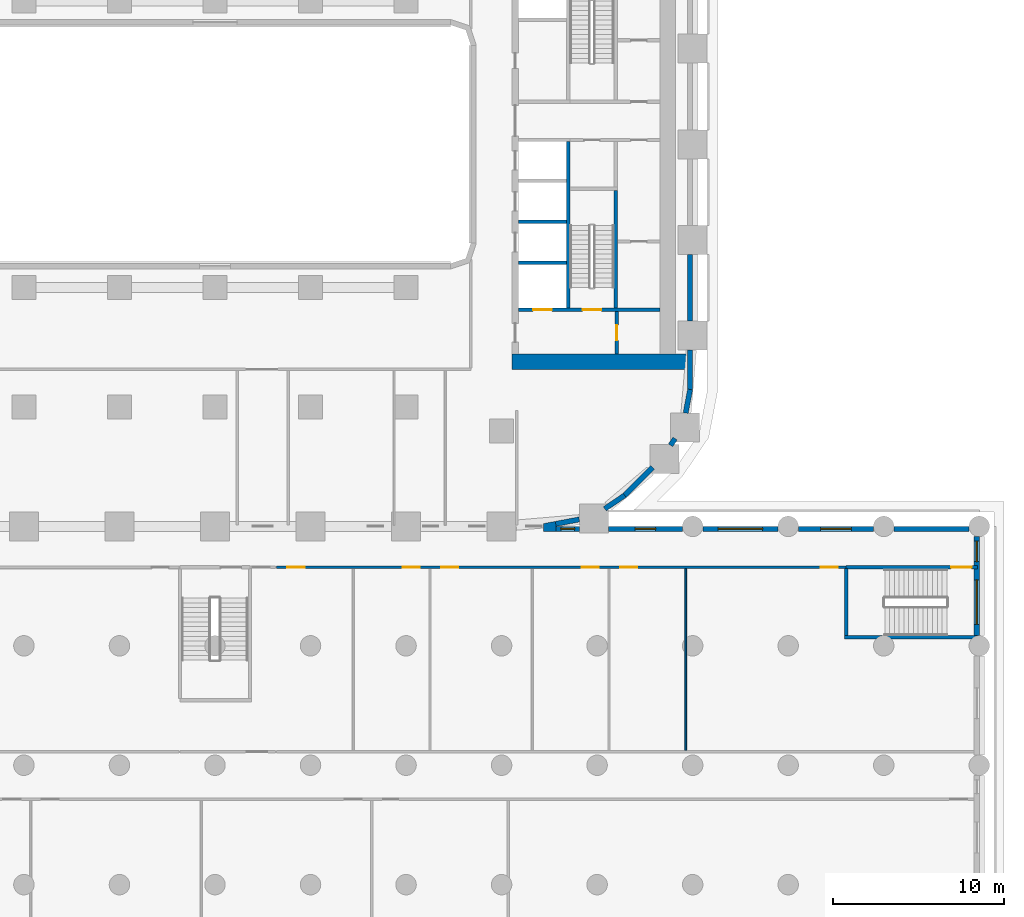
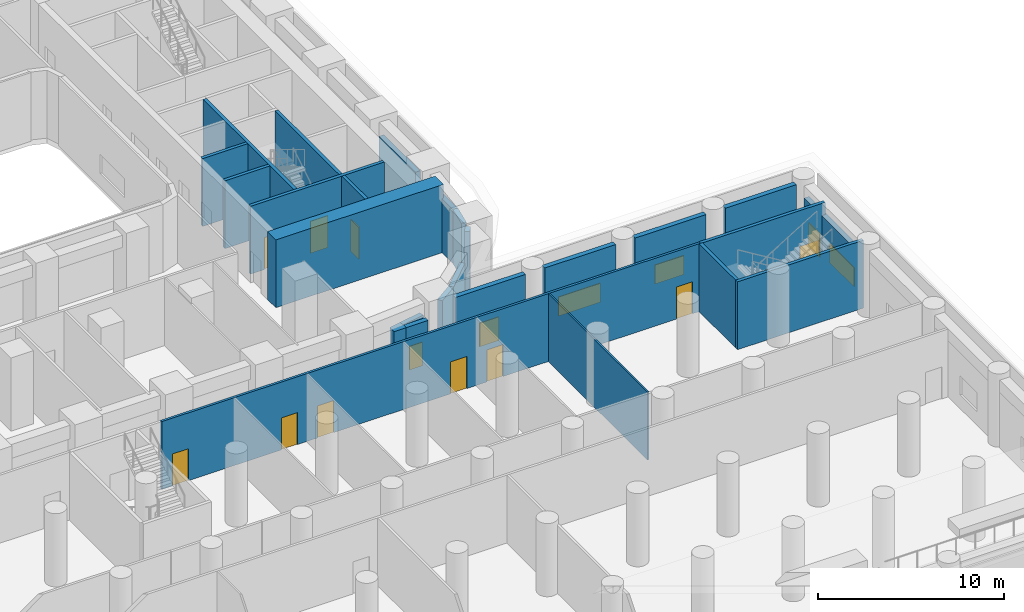
# One storey, part 14 of 27: 26 walls, 10 doors, 6 windows, 16 openings.
"""IFC4 building model written with IfcOpenShell, lengths in metres."""

from ifc_helpers import new_model, si_unit, direction, frame, frame_2d, origin, place, context, subcontext, project, spatial, polyline, rectangle, outline, extrude, material, layer, layer_set, type_object, element, fill, save


model = new_model("IFC4")

# Units and contexts
model_context = context("Model", 3, precision=1e-05, world=origin(), true_north=direction((0.0, 1.0)))
body_context = subcontext(model_context, "Body", "Model", "MODEL_VIEW")
ifc_project = project(units=[si_unit("LENGTHUNIT", "METRE"), si_unit("AREAUNIT", "SQUARE_METRE"), si_unit("VOLUMEUNIT", "CUBIC_METRE"), si_unit("PLANEANGLEUNIT", "RADIAN"), si_unit("MASSUNIT", "GRAM", prefix="KILO")], contexts=[model_context])

# Site, building, storey
site_placement = place(None, origin())
site = spatial("IfcSite", under=ifc_project, at=site_placement, CompositionType="ELEMENT")
building_placement = place(site_placement, origin())
building = spatial("IfcBuilding", under=site, at=building_placement, Name="Kiln Ring Residences", CompositionType="ELEMENT")
storey_placement = place(building_placement, frame((0.0, 0.0, 6.5)))
storey = spatial("IfcBuildingStorey", under=building, at=storey_placement, Name="L01", CompositionType="ELEMENT", Elevation=6.5)

# Wall, opening, door
ifc_material_1 = material(Name="Gypsum board on steel studs", Category="steel")
ifc_layer_1 = layer(ifc_material_1, 0.199951171875)
ifc_layer_set_1 = layer_set([ifc_layer_1], Name="CORE-PARTITION-200")
wall_type_1 = type_object("IfcWallType", Name="CORE-PARTITION-200", PredefinedType="PARTITIONING", material=ifc_layer_set_1)
wall_1_placement = place(storey_placement, frame((23.550048828125, -12.300048828125, 0.0), z_axis=(0.0, 0.0, 1.0), x_axis=(0.0, 1.0, 0.0)))
wall_1 = element("IfcWall", 1, at=wall_1_placement, inside=storey, type_object=wall_type_1, Name="Core partition east L01 4", PredefinedType="PARTITIONING", context=body_context, shape_type="SweptSolid", body=[
    extrude(rectangle(XDim=2.5, YDim=0.199951171875, at=frame_2d((1.25, 0.0))), origin(), (0.0, 0.0, 1.0), 4.449951171875),
])
opening_1_placement = place(wall_1_placement, frame((0.800048828125, 0.0, 0.0)))
opening_1 = element("IfcOpeningElement", 2, at=opening_1_placement, cuts=wall_1, Name="Opening L01-CE10", PredefinedType="OPENING", context=body_context, shape_type="SweptSolid", body=[
    extrude(rectangle(XDim=0.89990234375, YDim=2.10009765625, at=frame_2d((0.449951171875, 1.050048828125))), frame((0.0, 0.10986328125, 0.0), z_axis=(0.0, -1.0, 0.0), x_axis=(1.0, 0.0, 0.0)), (0.0, 0.0, 1.0), 0.219970703125),
])
ifc_material_2 = material(Name="Steel door leaf", Category="steel")
door_type_1 = type_object("IfcDoorType", Name="CORE-DOOR-ROOM", OperationType="SINGLE_SWING_LEFT", PredefinedType="DOOR", material=ifc_material_2)
door_1_placement = place(opening_1_placement, origin())
door_1 = element("IfcDoor", 3, at=door_1_placement, inside=storey, type_object=door_type_1, Name="Store L01-CE10", OperationType="SINGLE_SWING_LEFT", OverallHeight=2.10009765625, OverallWidth=0.89990234375, PredefinedType="DOOR", context=body_context, shape_type="SweptSolid", body=[
    extrude(rectangle(XDim=0.89990234375, YDim=2.10009765625, at=frame_2d((0.449951171875, 1.050048828125))), frame((0.0, 0.02490234375, 0.0), z_axis=(0.0, -1.0, 0.0), x_axis=(1.0, 0.0, 0.0)), (0.0, 0.0, 1.0), 0.050048828125),
])
fill(opening_1, door_1)

# Walls
ifc_material_3 = material(Name="Gypsum shaft wall system")
ifc_layer_2 = layer(ifc_material_3, 0.199951171875)
ifc_layer_set_2 = layer_set([ifc_layer_2], Name="CORE-SHAFT-WALL-200")
wall_type_2 = type_object("IfcWallType", Name="CORE-SHAFT-WALL-200", PredefinedType="PARTITIONING", material=ifc_layer_set_2)
for number, where, z_axis, x_axis, name in (
    (4, (17.800048828125, -6.949951171875, 0.0), (0.0, 0.0, 1.0), (1.0, 0.0, 0.0), "Core partition east L01 7"),
    (5, (17.800048828125, -4.550048828125, 0.0), (0.0, 0.0, 1.0), (1.0, 0.0, 0.0), "Core partition east L01 8"),
):
    element("IfcWall", number, at=place(storey_placement, frame(where, z_axis=z_axis, x_axis=x_axis)), inside=storey, type_object=wall_type_2, Name=name, PredefinedType="PARTITIONING", context=body_context, shape_type="SweptSolid", body=[
        extrude(rectangle(XDim=2.800048828125, YDim=0.199951171875, at=frame_2d((1.39990234375, 0.0))), origin(), (0.0, 0.0, 1.0), 4.449951171875),
    ])
ifc_material_4 = material(Name="Concrete C40/50", Category="concrete")
ifc_layer_3 = layer(ifc_material_4, 0.199951171875)
ifc_layer_set_3 = layer_set([ifc_layer_3], Name="CORE-WALL-RC200")
wall_type_3 = type_object("IfcWallType", Name="CORE-WALL-RC200", PredefinedType="SHEAR", material=ifc_layer_set_3)
wall_2_placement = place(storey_placement, frame((20.699951171875, -9.60009765625, 0.0), z_axis=(0.0, 0.0, 1.0), x_axis=(0.0, 1.0, 0.0)))
element("IfcWall", 6, at=wall_2_placement, inside=storey, type_object=wall_type_3, Name="Core wall east L01 2", PredefinedType="SHEAR", context=body_context, shape_type="SweptSolid", body=[
    extrude(rectangle(XDim=9.75, YDim=0.199951171875, at=frame_2d((4.875, 0.0))), origin(), (0.0, 0.0, 1.0), 4.449951171875),
])

# Wall, openings, doors
wall_3_placement = place(storey_placement, frame((17.800048828125, -9.699951171875, 0.0), z_axis=(0.0, 0.0, 1.0), x_axis=(1.0, 0.0, 0.0)))
wall_3 = element("IfcWall", 7, at=wall_3_placement, inside=storey, type_object=wall_type_3, Name="Core wall east L01 8", PredefinedType="SHEAR", context=body_context, shape_type="SweptSolid", body=[
    extrude(rectangle(XDim=8.300048828125, YDim=0.199951171875, at=frame_2d((4.14990234375, 0.0))), origin(), (0.0, 0.0, 1.0), 4.449951171875),
])
opening_2_placement = place(wall_3_placement, frame((0.85009765625, 0.0, 0.0)))
opening_2 = element("IfcOpeningElement", 8, at=opening_2_placement, cuts=wall_3, Name="Opening L01-CE01", PredefinedType="OPENING", context=body_context, shape_type="SweptSolid", body=[
    extrude(rectangle(XDim=1.10009765625, YDim=2.10009765625, at=frame_2d((0.550048828125, 1.050048828125))), frame((0.0, 0.10986328125, 0.0), z_axis=(0.0, -1.0, 0.0), x_axis=(1.0, 0.0, 0.0)), (0.0, 0.0, 1.0), 0.219970703125),
])
opening_3_placement = place(wall_3_placement, frame((3.75, 0.0, 0.0)))
opening_3 = element("IfcOpeningElement", 9, at=opening_3_placement, cuts=wall_3, Name="Opening L01-CE12", PredefinedType="OPENING", context=body_context, shape_type="SweptSolid", body=[
    extrude(rectangle(XDim=1.10009765625, YDim=2.10009765625, at=frame_2d((0.550048828125, 1.050048828125))), frame((0.0, 0.10986328125, 0.0), z_axis=(0.0, -1.0, 0.0), x_axis=(1.0, 0.0, 0.0)), (0.0, 0.0, 1.0), 0.219970703125),
])
ifc_material_5 = material(Name="Steel door leaf", Category="steel")
door_type_2 = type_object("IfcDoorType", Name="CORE-DOOR-LD", OperationType="DOUBLE_DOOR_SLIDING", PredefinedType="DOOR", material=ifc_material_5)
door_2_placement = place(opening_2_placement, origin())
door_2 = element("IfcDoor", 10, at=door_2_placement, inside=storey, type_object=door_type_2, Name="LD E-SV L01-CE01", OperationType="DOUBLE_DOOR_SLIDING", OverallHeight=2.10009765625, OverallWidth=1.10009765625, PredefinedType="DOOR", context=body_context, shape_type="SweptSolid", body=[
    extrude(rectangle(XDim=1.10009765625, YDim=2.10009765625, at=frame_2d((0.550048828125, 1.050048828125))), frame((0.0, 0.02490234375, 0.0), z_axis=(0.0, -1.0, 0.0), x_axis=(1.0, 0.0, 0.0)), (0.0, 0.0, 1.0), 0.050048828125),
])
fill(opening_2, door_2)
ifc_material_6 = material(Name="Steel door leaf", Category="steel")
door_type_3 = type_object("IfcDoorType", Name="CORE-DOOR-STAIR", OperationType="SINGLE_SWING_LEFT", PredefinedType="DOOR", material=ifc_material_6)
door_3_placement = place(opening_3_placement, origin())
door_3 = element("IfcDoor", 11, at=door_3_placement, inside=storey, type_object=door_type_3, Name="Stair E-STS L01-CE12", OperationType="SINGLE_SWING_RIGHT", OverallHeight=2.10009765625, OverallWidth=1.10009765625, PredefinedType="DOOR", context=body_context, shape_type="SweptSolid", body=[
    extrude(rectangle(XDim=1.10009765625, YDim=2.10009765625, at=frame_2d((0.550048828125, 1.050048828125))), frame((0.0, 0.02490234375, 0.0), z_axis=(0.0, -1.0, 0.0), x_axis=(1.0, 0.0, 0.0)), (0.0, 0.0, 1.0), 0.050048828125),
])
fill(opening_3, door_3)

# Walls
wall_4_placement = place(storey_placement, frame((23.5, -9.60009765625, 0.0), z_axis=(0.0, 0.0, 1.0), x_axis=(0.0, 1.0, 0.0)))
element("IfcWall", 12, at=wall_4_placement, inside=storey, type_object=wall_type_3, Name="Core wall east L01 11", PredefinedType="SHEAR", context=body_context, shape_type="SweptSolid", body=[
    extrude(rectangle(XDim=6.900146484375, YDim=0.199951171875, at=frame_2d((3.4501953125, 0.0))), origin(), (0.0, 0.0, 1.0), 4.449951171875),
])
ifc_material_7 = material(Name="Concrete C60/75", Category="concrete")
ifc_layer_4 = layer(ifc_material_7, 0.89990234375)
ifc_layer_set_4 = layer_set([ifc_layer_4], Name="CORE-WALL-RC900")
wall_type_4 = type_object("IfcWallType", Name="CORE-WALL-RC900", PredefinedType="SHEAR", material=ifc_layer_set_4)
wall_5_placement = place(storey_placement, frame((17.39990234375, -12.75, 0.0), z_axis=(0.0, 0.0, 1.0), x_axis=(1.0, 0.0, 0.0)))
element("IfcWall", 13, at=wall_5_placement, inside=storey, type_object=wall_type_4, Name="Core wall east L01 5", PredefinedType="SHEAR", context=body_context, shape_type="SweptSolid", body=[
    extrude(rectangle(XDim=10.400146484375, YDim=0.89990234375, at=frame_2d((5.2001953125, 0.0))), origin(), (0.0, 0.0, 1.0), 4.449951171875),
])

# Wall, openings, windows
ifc_material_8 = material(Name="Brick masonry, dark clay brick", Category="masonry")
ifc_layer_5 = layer(ifc_material_8, 0.300048828125)
ifc_layer_set_5 = layer_set([ifc_layer_5], Name="EW-300 BRICK WALL")
wall_type_5 = type_object("IfcWallType", Name="EW-300 BRICK WALL", PredefinedType="SOLIDWALL", material=ifc_layer_set_5)
wall_6_placement = place(storey_placement, frame((44.64990234375, -28.800048828125, 0.0), z_axis=(0.0, 0.0, 1.0), x_axis=(0.0, 1.0, 0.0)))
wall_6 = element("IfcWall", 14, at=wall_6_placement, inside=storey, type_object=wall_type_5, Name="Facade wall L01 5", PredefinedType="SOLIDWALL", context=body_context, shape_type="SweptSolid", body=[
    extrude(rectangle(XDim=5.800048828125, YDim=0.300048828125, at=frame_2d((2.89990234375, 0.0))), origin(), (0.0, 0.0, 1.0), 3.64990234375),
])
opening_4_placement = place(wall_6_placement, frame((0.66259765625, 0.0, 0.89990234375)))
opening_4 = element("IfcOpeningElement", 15, at=opening_4_placement, cuts=wall_6, Name="Opening W3", PredefinedType="OPENING", context=body_context, shape_type="SweptSolid", body=[
    extrude(rectangle(XDim=2.60009765625, YDim=1.25, at=frame_2d((1.300048828125, 0.625))), frame((0.0, 0.159912109375, 0.0), z_axis=(0.0, -1.0, 0.0), x_axis=(1.0, 0.0, 0.0)), (0.0, 0.0, 1.0), 0.320068359375),
])
opening_5_placement = place(wall_6_placement, frame((4.33740234375, 0.0, 0.60009765625)))
opening_5 = element("IfcOpeningElement", 16, at=opening_5_placement, cuts=wall_6, Name="Opening W1", PredefinedType="OPENING", context=body_context, shape_type="SweptSolid", body=[
    extrude(rectangle(XDim=1.199951171875, YDim=1.550048828125, at=frame_2d((0.60009765625, 0.77490234375))), frame((0.0, 0.159912109375, 0.0), z_axis=(0.0, -1.0, 0.0), x_axis=(1.0, 0.0, 0.0)), (0.0, 0.0, 1.0), 0.320068359375),
])
ifc_material_9 = material(Name="Aluminium frame with double glazing", Category="aluminium")
window_type_1 = type_object("IfcWindowType", Name="WINDOW 1200 x 1550", PartitioningType="SINGLE_PANEL", PredefinedType="WINDOW", material=ifc_material_9)
window_1_placement = place(opening_5_placement, origin())
window_1 = element("IfcWindow", 17, at=window_1_placement, inside=storey, type_object=window_type_1, Name="Window L01 7", OverallHeight=1.550048828125, OverallWidth=1.199951171875, PartitioningType="SINGLE_PANEL", PredefinedType="WINDOW", context=body_context, shape_type="SweptSolid", body=[
    extrude(rectangle(XDim=1.199951171875, YDim=1.550048828125, at=frame_2d((0.60009765625, 0.77490234375))), frame((0.0, 0.030029296875, 0.0), z_axis=(0.0, -1.0, 0.0), x_axis=(1.0, 0.0, 0.0)), (0.0, 0.0, 1.0), 0.06005859375),
])
fill(opening_5, window_1)
ifc_material_10 = material(Name="Aluminium frame with double glazing", Category="aluminium")
window_type_2 = type_object("IfcWindowType", Name="WINDOW 2600 x 1250", PartitioningType="SINGLE_PANEL", PredefinedType="WINDOW", material=ifc_material_10)
window_2_placement = place(opening_4_placement, origin())
window_2 = element("IfcWindow", 18, at=window_2_placement, inside=storey, type_object=window_type_2, Name="Window L01 6", OverallHeight=1.25, OverallWidth=2.60009765625, PartitioningType="SINGLE_PANEL", PredefinedType="WINDOW", context=body_context, shape_type="SweptSolid", body=[
    extrude(rectangle(XDim=2.60009765625, YDim=1.25, at=frame_2d((1.300048828125, 0.625))), frame((0.0, 0.030029296875, 0.0), z_axis=(0.0, -1.0, 0.0), x_axis=(1.0, 0.0, 0.0)), (0.0, 0.0, 1.0), 0.06005859375),
])
fill(opening_4, window_2)

# Wall
wall_7_placement = place(storey_placement, frame((44.199951171875, -22.550048828125, 0.0), z_axis=(0.0, 0.0, 1.0), x_axis=(-1.0, 0.0, 0.0)))
element("IfcWall", 19, at=wall_7_placement, inside=storey, type_object=wall_type_5, Name="Facade wall L01 6", PredefinedType="SOLIDWALL", context=body_context, shape_type="SweptSolid", body=[
    extrude(rectangle(XDim=4.39990234375, YDim=0.300048828125, at=frame_2d((2.199951171875, 0.0))), origin(), (0.0, 0.0, 1.0), 4.449951171875),
])

# Wall, opening, window
wall_8_placement = place(storey_placement, frame((38.60009765625, -22.550048828125, 0.0), z_axis=(0.0, 0.0, 1.0), x_axis=(-1.0, 0.0, 0.0)))
wall_8 = element("IfcWall", 20, at=wall_8_placement, inside=storey, type_object=wall_type_5, Name="Facade wall L01 7", PredefinedType="SOLIDWALL", context=body_context, shape_type="SweptSolid", body=[
    extrude(rectangle(XDim=4.400146484375, YDim=0.300048828125, at=frame_2d((2.2001953125, 0.0))), origin(), (0.0, 0.0, 1.0), 4.449951171875),
])
opening_6_placement = place(wall_8_placement, frame((1.300048828125, 0.0, 0.89990234375)))
opening_6 = element("IfcOpeningElement", 21, at=opening_6_placement, cuts=wall_8, Name="Opening W2", PredefinedType="OPENING", context=body_context, shape_type="SweptSolid", body=[
    extrude(rectangle(XDim=1.800048828125, YDim=1.25, at=frame_2d((0.89990234375, 0.625))), frame((0.0, 0.159912109375, 0.0), z_axis=(0.0, -1.0, 0.0), x_axis=(1.0, 0.0, 0.0)), (0.0, 0.0, 1.0), 0.320068359375),
])
ifc_material_11 = material(Name="Aluminium frame with double glazing", Category="aluminium")
window_type_3 = type_object("IfcWindowType", Name="WINDOW 1800 x 1250", PartitioningType="SINGLE_PANEL", PredefinedType="WINDOW", material=ifc_material_11)
window_3_placement = place(opening_6_placement, origin())
window_3 = element("IfcWindow", 22, at=window_3_placement, inside=storey, type_object=window_type_3, Name="Window L01 8", OverallHeight=1.25, OverallWidth=1.800048828125, PartitioningType="SINGLE_PANEL", PredefinedType="WINDOW", context=body_context, shape_type="SweptSolid", body=[
    extrude(rectangle(XDim=1.800048828125, YDim=1.25, at=frame_2d((0.89990234375, 0.625))), frame((0.0, 0.030029296875, 0.0), z_axis=(0.0, -1.0, 0.0), x_axis=(1.0, 0.0, 0.0)), (0.0, 0.0, 1.0), 0.06005859375),
])
fill(opening_6, window_3)

wall_9_placement = place(storey_placement, frame((33.0, -22.550048828125, 0.0), z_axis=(0.0, 0.0, 1.0), x_axis=(-1.0, 0.0, 0.0)))
wall_9 = element("IfcWall", 23, at=wall_9_placement, inside=storey, type_object=wall_type_5, Name="Facade wall L01 8", PredefinedType="SOLIDWALL", context=body_context, shape_type="SweptSolid", body=[
    extrude(rectangle(XDim=4.39990234375, YDim=0.300048828125, at=frame_2d((2.199951171875, 0.0))), origin(), (0.0, 0.0, 1.0), 4.449951171875),
])
opening_7_placement = place(wall_9_placement, frame((0.89990234375, 0.0, 0.89990234375)))
opening_7 = element("IfcOpeningElement", 24, at=opening_7_placement, cuts=wall_9, Name="Opening W3", PredefinedType="OPENING", context=body_context, shape_type="SweptSolid", body=[
    extrude(rectangle(XDim=2.60009765625, YDim=1.25, at=frame_2d((1.300048828125, 0.625))), frame((0.0, 0.159912109375, 0.0), z_axis=(0.0, -1.0, 0.0), x_axis=(1.0, 0.0, 0.0)), (0.0, 0.0, 1.0), 0.320068359375),
])
window_4_placement = place(opening_7_placement, origin())
window_4 = element("IfcWindow", 25, at=window_4_placement, inside=storey, type_object=window_type_2, Name="Window L01 9", OverallHeight=1.25, OverallWidth=2.60009765625, PartitioningType="SINGLE_PANEL", PredefinedType="WINDOW", context=body_context, shape_type="SweptSolid", body=[
    extrude(rectangle(XDim=2.60009765625, YDim=1.25, at=frame_2d((1.300048828125, 0.625))), frame((0.0, 0.030029296875, 0.0), z_axis=(0.0, -1.0, 0.0), x_axis=(1.0, 0.0, 0.0)), (0.0, 0.0, 1.0), 0.06005859375),
])
fill(opening_7, window_4)

wall_10_placement = place(storey_placement, frame((27.39990234375, -22.550048828125, 0.0), z_axis=(0.0, 0.0, 1.0), x_axis=(-1.0, 0.0, 0.0)))
wall_10 = element("IfcWall", 26, at=wall_10_placement, inside=storey, type_object=wall_type_5, Name="Facade wall L01 9", PredefinedType="SOLIDWALL", context=body_context, shape_type="SweptSolid", body=[
    extrude(rectangle(XDim=4.34130859375, YDim=0.300048828125, at=frame_2d((2.170654296875, 0.0))), origin(), (0.0, 0.0, 1.0), 4.449951171875),
])
opening_8_placement = place(wall_10_placement, frame((1.570556640625, 0.0, 0.60009765625)))
opening_8 = element("IfcOpeningElement", 27, at=opening_8_placement, cuts=wall_10, Name="Opening W1", PredefinedType="OPENING", context=body_context, shape_type="SweptSolid", body=[
    extrude(rectangle(XDim=1.199951171875, YDim=1.550048828125, at=frame_2d((0.60009765625, 0.77490234375))), frame((0.0, 0.159912109375, 0.0), z_axis=(0.0, -1.0, 0.0), x_axis=(1.0, 0.0, 0.0)), (0.0, 0.0, 1.0), 0.320068359375),
])
window_5_placement = place(opening_8_placement, origin())
window_5 = element("IfcWindow", 28, at=window_5_placement, inside=storey, type_object=window_type_1, Name="Window L01 10", OverallHeight=1.550048828125, OverallWidth=1.199951171875, PartitioningType="SINGLE_PANEL", PredefinedType="WINDOW", context=body_context, shape_type="SweptSolid", body=[
    extrude(rectangle(XDim=1.199951171875, YDim=1.550048828125, at=frame_2d((0.60009765625, 0.77490234375))), frame((0.0, 0.030029296875, 0.0), z_axis=(0.0, -1.0, 0.0), x_axis=(1.0, 0.0, 0.0)), (0.0, 0.0, 1.0), 0.06005859375),
])
fill(opening_8, window_5)

wall_11_placement = place(storey_placement, frame((21.358642578125, -22.550048828125, 0.0), z_axis=(0.0, 0.0, 1.0), x_axis=(-1.0, 0.0, 0.0)))
wall_11 = element("IfcWall", 29, at=wall_11_placement, inside=storey, type_object=wall_type_5, Name="Facade wall L01 10", PredefinedType="SOLIDWALL", context=body_context, shape_type="SweptSolid", body=[
    extrude(rectangle(XDim=1.358642578125, YDim=0.300048828125, at=frame_2d((0.67919921875, 0.0))), origin(), (0.0, 0.0, 1.0), 3.550048828125),
])
opening_9_placement = place(wall_11_placement, frame((0.279296875, 0.0, 0.60009765625)))
opening_9 = element("IfcOpeningElement", 30, at=opening_9_placement, cuts=wall_11, Name="Opening W5", PredefinedType="OPENING", context=body_context, shape_type="SweptSolid", body=[
    extrude(rectangle(XDim=0.800048828125, YDim=1.550048828125, at=frame_2d((0.39990234375, 0.77490234375))), frame((0.0, 0.159912109375, 0.0), z_axis=(0.0, -1.0, 0.0), x_axis=(1.0, 0.0, 0.0)), (0.0, 0.0, 1.0), 0.320068359375),
])
ifc_material_12 = material(Name="Aluminium frame with double glazing", Category="aluminium")
window_type_4 = type_object("IfcWindowType", Name="WINDOW 800 x 1550", PartitioningType="SINGLE_PANEL", PredefinedType="WINDOW", material=ifc_material_12)
window_6_placement = place(opening_9_placement, origin())
window_6 = element("IfcWindow", 31, at=window_6_placement, inside=storey, type_object=window_type_4, Name="Window L01 11", OverallHeight=1.550048828125, OverallWidth=0.800048828125, PartitioningType="SINGLE_PANEL", PredefinedType="WINDOW", context=body_context, shape_type="SweptSolid", body=[
    extrude(rectangle(XDim=0.800048828125, YDim=1.550048828125, at=frame_2d((0.39990234375, 0.77490234375))), frame((0.0, 0.030029296875, 0.0), z_axis=(0.0, -1.0, 0.0), x_axis=(1.0, 0.0, 0.0)), (0.0, 0.0, 1.0), 0.06005859375),
])
fill(opening_9, window_6)

# Walls
for number, where, z_axis, x_axis, name in (
    (32, (19.971923828125, -22.252685546875, 0.0), (0.0, 0.0, 1.0), (0.98229142023, 0.187359455971, 0.0), "Facade wall L01 11"),
    (33, (22.849853515625, -21.369140625, 0.0), (0.0, 0.0, 1.0), (0.827075041075, 0.562091519622, 0.0), "Facade wall L01 12"),
):
    element("IfcWall", number, at=place(storey_placement, frame(where, z_axis=z_axis, x_axis=x_axis)), inside=storey, type_object=wall_type_5, Name=name, PredefinedType="SOLIDWALL", context=body_context, shape_type="SweptSolid", body=[
        extrude(rectangle(XDim=1.406005859375, YDim=0.300048828125, at=frame_2d((0.703125, 0.0))), origin(), (0.0, 0.0, 1.0), 3.550048828125),
    ])
wall_12_placement = place(storey_placement, frame((23.990966796875, -20.596923828125, 0.0), z_axis=(0.0, 0.0, 1.0), x_axis=(0.707054835785, 0.707158722772, 0.0)))
element("IfcWall", 34, at=wall_12_placement, inside=storey, type_object=wall_type_5, Name="Facade wall L01 13", PredefinedType="SOLIDWALL", context=body_context, shape_type="SweptSolid", body=[
    extrude(rectangle(XDim=2.35009765625, YDim=0.300048828125, at=frame_2d((1.175048828125, 0.0))), origin(), (0.0, 0.0, 1.0), 3.550048828125),
])
wall_13_placement = place(storey_placement, frame((26.701171875, -17.644287109375, 0.0), z_axis=(0.0, 0.0, 1.0), x_axis=(0.562001981492, 0.827135885329, 0.0)))
element("IfcWall", 35, at=wall_13_placement, inside=storey, type_object=wall_type_5, Name="Facade wall L01 14", PredefinedType="SOLIDWALL", context=body_context, shape_type="SweptSolid", body=[
    extrude(rectangle(XDim=0.47705078125, YDim=0.300048828125, at=frame_2d((0.238525390625, 0.0))), origin(), (0.0, 0.0, 1.0), 4.449951171875),
])
wall_14_placement = place(storey_placement, frame((27.589111328125, -15.753173828125, 0.0), z_axis=(0.0, 0.0, 1.0), x_axis=(0.187327504018, 0.982297514116, 0.0)))
element("IfcWall", 36, at=wall_14_placement, inside=storey, type_object=wall_type_5, Name="Facade wall L01 15", PredefinedType="SOLIDWALL", context=body_context, shape_type="SweptSolid", body=[
    extrude(rectangle(XDim=1.40625, YDim=0.300048828125, at=frame_2d((0.703125, 0.0))), origin(), (0.0, 0.0, 1.0), 3.550048828125),
])
wall_15_placement = place(storey_placement, frame((27.85009765625, -14.39990234375, 0.0), z_axis=(0.0, 0.0, 1.0), x_axis=(0.0, 1.0, 0.0)))
element("IfcWall", 37, at=wall_15_placement, inside=storey, type_object=wall_type_5, Name="Facade wall L01 16", PredefinedType="SOLIDWALL", context=body_context, shape_type="SweptSolid", body=[
    extrude(rectangle(XDim=2.349853515625, YDim=0.300048828125, at=frame_2d((1.1748046875, 0.0))), origin(), (0.0, 0.0, 1.0), 3.550048828125),
])
wall_16_placement = place(storey_placement, frame((27.85009765625, -10.35009765625, 0.0), z_axis=(0.0, 0.0, 1.0), x_axis=(0.0, 1.0, 0.0)))
element("IfcWall", 38, at=wall_16_placement, inside=storey, type_object=wall_type_5, Name="Facade wall L01 17", PredefinedType="SOLIDWALL", context=body_context, shape_type="SweptSolid", body=[
    extrude(rectangle(XDim=3.900146484375, YDim=0.300048828125, at=frame_2d((1.9501953125, 0.0))), origin(), (0.0, 0.0, 1.0), 3.550048828125),
])
wall_17_placement = place(storey_placement, origin())
element("IfcWall", 39, at=wall_17_placement, inside=storey, type_object=wall_type_5, Name="Corner wall L01 1", PredefinedType="SOLIDWALL", context=body_context, shape_type="SweptSolid", body=[
    extrude(outline(polyline([(19.94384765625, -22.105224609375), (19.2509765625, -22.237548828125), (19.2509765625, -22.699951171875), (20.0, -22.699951171875), (20.0, -22.39990234375), (19.94384765625, -22.105224609375)])), origin(), (0.0, 0.0, 1.0), 3.550048828125),
])
ifc_material_13 = material(Name="Gypsum board on steel studs", Category="steel")
ifc_layer_6 = layer(ifc_material_13, 0.10009765625)
ifc_layer_set_6 = layer_set([ifc_layer_6], Name="PARTITION-100")
wall_type_6 = type_object("IfcWallType", Name="PARTITION-100", PredefinedType="PARTITIONING", material=ifc_layer_set_6)
wall_18_placement = place(storey_placement, frame((27.60009765625, -35.52490234375, 0.0), z_axis=(0.0, 0.0, 1.0), x_axis=(0.0, 1.0, 0.0)))
element("IfcWall", 40, at=wall_18_placement, inside=storey, type_object=wall_type_6, Name="Partition 050", PredefinedType="PARTITIONING", context=body_context, shape_type="SweptSolid", body=[
    extrude(rectangle(XDim=10.64990234375, YDim=0.10009765625, at=frame_2d((5.324951171875, 0.0))), origin(), (0.0, 0.0, 1.0), 4.449951171875),
])

# Wall, openings, doors
ifc_material_14 = material(Name="Brick masonry partition", Category="masonry")
ifc_layer_7 = layer(ifc_material_14, 0.14990234375)
ifc_layer_set_7 = layer_set([ifc_layer_7], Name="PARTITION-150-ei60")
wall_type_7 = type_object("IfcWallType", Name="PARTITION-150-ei60", PredefinedType="PARTITIONING", material=ifc_layer_set_7)
wall_19_placement = place(storey_placement, frame((3.60009765625, -24.800048828125, 0.0), z_axis=(0.0, 0.0, 1.0), x_axis=(1.0, 0.0, 0.0)))
wall_19 = element("IfcWall", 41, at=wall_19_placement, inside=storey, type_object=wall_type_7, Name="Partition 009", PredefinedType="PARTITIONING", context=body_context, shape_type="SweptSolid", body=[
    extrude(rectangle(XDim=33.39990234375, YDim=0.14990234375, at=frame_2d((16.699951171875, 0.0))), origin(), (0.0, 0.0, 1.0), 4.449951171875),
])
opening_10_placement = place(wall_19_placement, frame((0.64990234375, 0.0, 0.0)))
opening_10 = element("IfcOpeningElement", 42, at=opening_10_placement, cuts=wall_19, Name="Opening L01-D017", PredefinedType="OPENING", context=body_context, shape_type="SweptSolid", body=[
    extrude(rectangle(XDim=1.0, YDim=2.10009765625, at=frame_2d((0.5, 1.050048828125))), frame((0.0, 0.0849609375, 0.0), z_axis=(0.0, -1.0, 0.0), x_axis=(1.0, 0.0, 0.0)), (0.0, 0.0, 1.0), 0.169921875),
])
opening_11_placement = place(wall_19_placement, frame((7.39990234375, 0.0, 0.0)))
opening_11 = element("IfcOpeningElement", 43, at=opening_11_placement, cuts=wall_19, Name="Opening L01-D018", PredefinedType="OPENING", context=body_context, shape_type="SweptSolid", body=[
    extrude(rectangle(XDim=1.0, YDim=2.10009765625, at=frame_2d((0.5, 1.050048828125))), frame((0.0, 0.0849609375, 0.0), z_axis=(0.0, -1.0, 0.0), x_axis=(1.0, 0.0, 0.0)), (0.0, 0.0, 1.0), 0.169921875),
])
opening_12_placement = place(wall_19_placement, frame((9.64990234375, 0.0, 0.0)))
opening_12 = element("IfcOpeningElement", 44, at=opening_12_placement, cuts=wall_19, Name="Opening L01-D019", PredefinedType="OPENING", context=body_context, shape_type="SweptSolid", body=[
    extrude(rectangle(XDim=1.0, YDim=2.10009765625, at=frame_2d((0.5, 1.050048828125))), frame((0.0, 0.0849609375, 0.0), z_axis=(0.0, -1.0, 0.0), x_axis=(1.0, 0.0, 0.0)), (0.0, 0.0, 1.0), 0.169921875),
])
opening_13_placement = place(wall_19_placement, frame((17.89990234375, 0.0, 0.0)))
opening_13 = element("IfcOpeningElement", 45, at=opening_13_placement, cuts=wall_19, Name="Opening L01-D020", PredefinedType="OPENING", context=body_context, shape_type="SweptSolid", body=[
    extrude(rectangle(XDim=1.0, YDim=2.10009765625, at=frame_2d((0.5, 1.050048828125))), frame((0.0, 0.0849609375, 0.0), z_axis=(0.0, -1.0, 0.0), x_axis=(1.0, 0.0, 0.0)), (0.0, 0.0, 1.0), 0.169921875),
])
opening_14_placement = place(wall_19_placement, frame((20.14990234375, 0.0, 0.0)))
opening_14 = element("IfcOpeningElement", 46, at=opening_14_placement, cuts=wall_19, Name="Opening L01-D021", PredefinedType="OPENING", context=body_context, shape_type="SweptSolid", body=[
    extrude(rectangle(XDim=1.0, YDim=2.10009765625, at=frame_2d((0.5, 1.050048828125))), frame((0.0, 0.0849609375, 0.0), z_axis=(0.0, -1.0, 0.0), x_axis=(1.0, 0.0, 0.0)), (0.0, 0.0, 1.0), 0.169921875),
])
opening_15_placement = place(wall_19_placement, frame((31.89990234375, 0.0, 0.0)))
opening_15 = element("IfcOpeningElement", 47, at=opening_15_placement, cuts=wall_19, Name="Opening L01-D022", PredefinedType="OPENING", context=body_context, shape_type="SweptSolid", body=[
    extrude(rectangle(XDim=1.0, YDim=2.10009765625, at=frame_2d((0.5, 1.050048828125))), frame((0.0, 0.0849609375, 0.0), z_axis=(0.0, -1.0, 0.0), x_axis=(1.0, 0.0, 0.0)), (0.0, 0.0, 1.0), 0.169921875),
])
ifc_material_15 = material(Name="Steel faced fire door leaf", Category="steel")
door_type_4 = type_object("IfcDoorType", Name="FLAT-DOOR-1000-FR", OperationType="SINGLE_SWING_LEFT", PredefinedType="DOOR", material=ifc_material_15)
door_4_placement = place(opening_10_placement, origin())
door_4 = element("IfcDoor", 48, at=door_4_placement, inside=storey, type_object=door_type_4, Name="Door L01-D017", OperationType="SINGLE_SWING_LEFT", OverallHeight=2.10009765625, OverallWidth=1.0, PredefinedType="DOOR", context=body_context, shape_type="SweptSolid", body=[
    extrude(rectangle(XDim=1.0, YDim=2.10009765625, at=frame_2d((0.5, 1.050048828125))), frame((0.0, 0.02490234375, 0.0), z_axis=(0.0, -1.0, 0.0), x_axis=(1.0, 0.0, 0.0)), (0.0, 0.0, 1.0), 0.050048828125),
])
fill(opening_10, door_4)
door_5_placement = place(opening_11_placement, origin())
door_5 = element("IfcDoor", 49, at=door_5_placement, inside=storey, type_object=door_type_4, Name="Door L01-D018", OperationType="SINGLE_SWING_RIGHT", OverallHeight=2.10009765625, OverallWidth=1.0, PredefinedType="DOOR", context=body_context, shape_type="SweptSolid", body=[
    extrude(rectangle(XDim=1.0, YDim=2.10009765625, at=frame_2d((0.5, 1.050048828125))), frame((0.0, 0.02490234375, 0.0), z_axis=(0.0, -1.0, 0.0), x_axis=(1.0, 0.0, 0.0)), (0.0, 0.0, 1.0), 0.050048828125),
])
fill(opening_11, door_5)
door_6_placement = place(opening_12_placement, origin())
door_6 = element("IfcDoor", 50, at=door_6_placement, inside=storey, type_object=door_type_4, Name="Door L01-D019", OperationType="SINGLE_SWING_LEFT", OverallHeight=2.10009765625, OverallWidth=1.0, PredefinedType="DOOR", context=body_context, shape_type="SweptSolid", body=[
    extrude(rectangle(XDim=1.0, YDim=2.10009765625, at=frame_2d((0.5, 1.050048828125))), frame((0.0, 0.02490234375, 0.0), z_axis=(0.0, -1.0, 0.0), x_axis=(1.0, 0.0, 0.0)), (0.0, 0.0, 1.0), 0.050048828125),
])
fill(opening_12, door_6)
door_7_placement = place(opening_13_placement, origin())
door_7 = element("IfcDoor", 51, at=door_7_placement, inside=storey, type_object=door_type_4, Name="Door L01-D020", OperationType="SINGLE_SWING_RIGHT", OverallHeight=2.10009765625, OverallWidth=1.0, PredefinedType="DOOR", context=body_context, shape_type="SweptSolid", body=[
    extrude(rectangle(XDim=1.0, YDim=2.10009765625, at=frame_2d((0.5, 1.050048828125))), frame((0.0, 0.02490234375, 0.0), z_axis=(0.0, -1.0, 0.0), x_axis=(1.0, 0.0, 0.0)), (0.0, 0.0, 1.0), 0.050048828125),
])
fill(opening_13, door_7)
door_8_placement = place(opening_14_placement, origin())
door_8 = element("IfcDoor", 52, at=door_8_placement, inside=storey, type_object=door_type_4, Name="Door L01-D021", OperationType="SINGLE_SWING_LEFT", OverallHeight=2.10009765625, OverallWidth=1.0, PredefinedType="DOOR", context=body_context, shape_type="SweptSolid", body=[
    extrude(rectangle(XDim=1.0, YDim=2.10009765625, at=frame_2d((0.5, 1.050048828125))), frame((0.0, 0.02490234375, 0.0), z_axis=(0.0, -1.0, 0.0), x_axis=(1.0, 0.0, 0.0)), (0.0, 0.0, 1.0), 0.050048828125),
])
fill(opening_14, door_8)
door_9_placement = place(opening_15_placement, origin())
door_9 = element("IfcDoor", 53, at=door_9_placement, inside=storey, type_object=door_type_4, Name="Door L01-D022", OperationType="SINGLE_SWING_RIGHT", OverallHeight=2.10009765625, OverallWidth=1.0, PredefinedType="DOOR", context=body_context, shape_type="SweptSolid", body=[
    extrude(rectangle(XDim=1.0, YDim=2.10009765625, at=frame_2d((0.5, 1.050048828125))), frame((0.0, 0.02490234375, 0.0), z_axis=(0.0, -1.0, 0.0), x_axis=(1.0, 0.0, 0.0)), (0.0, 0.0, 1.0), 0.050048828125),
])
fill(opening_15, door_9)

# Wall
ifc_material_16 = material(Name="Concrete C40/50", Category="concrete")
ifc_layer_8 = layer(ifc_material_16, 0.199951171875)
ifc_layer_set_8 = layer_set([ifc_layer_8], Name="PODIUM-STAIR-WALL-200")
wall_type_8 = type_object("IfcWallType", Name="PODIUM-STAIR-WALL-200", PredefinedType="SHEAR", material=ifc_layer_set_8)
wall_20_placement = place(storey_placement, frame((36.89990234375, -28.89990234375, 0.0), z_axis=(0.0, 0.0, 1.0), x_axis=(1.0, 0.0, 0.0)))
element("IfcWall", 54, at=wall_20_placement, inside=storey, type_object=wall_type_8, Name="Stair wall 006", PredefinedType="SHEAR", context=body_context, shape_type="SweptSolid", body=[
    extrude(rectangle(XDim=7.81005859375, YDim=0.199951171875, at=frame_2d((3.905029296875, 0.0))), origin(), (0.0, 0.0, 1.0), 4.449951171875),
])

# Wall, opening, door
wall_21_placement = place(storey_placement, frame((37.0, -24.800048828125, 0.0), z_axis=(0.0, 0.0, 1.0), x_axis=(1.0, 0.0, 0.0)))
wall_21 = element("IfcWall", 55, at=wall_21_placement, inside=storey, type_object=wall_type_8, Name="Stair wall 012", PredefinedType="SHEAR", context=body_context, shape_type="SweptSolid", body=[
    extrude(rectangle(XDim=7.7099609375, YDim=0.199951171875, at=frame_2d((3.85498046875, 0.0))), origin(), (0.0, 0.0, 1.0), 4.449951171875),
])
opening_16_placement = place(wall_21_placement, frame((6.14990234375, 0.0, 0.0)))
opening_16 = element("IfcOpeningElement", 56, at=opening_16_placement, cuts=wall_21, Name="Opening L01-D007", PredefinedType="OPENING", context=body_context, shape_type="SweptSolid", body=[
    extrude(rectangle(XDim=1.199951171875, YDim=2.10009765625, at=frame_2d((0.60009765625, 1.050048828125))), frame((0.0, 0.10986328125, 0.0), z_axis=(0.0, -1.0, 0.0), x_axis=(1.0, 0.0, 0.0)), (0.0, 0.0, 1.0), 0.219970703125),
])
ifc_material_17 = material(Name="Steel faced fire door leaf", Category="steel")
door_type_5 = type_object("IfcDoorType", Name="FLAT-DOOR-1200-FR", OperationType="SINGLE_SWING_LEFT", PredefinedType="DOOR", material=ifc_material_17)
door_10_placement = place(opening_16_placement, origin())
door_10 = element("IfcDoor", 57, at=door_10_placement, inside=storey, type_object=door_type_5, Name="Door L01-D007", OperationType="SINGLE_SWING_RIGHT", OverallHeight=2.10009765625, OverallWidth=1.199951171875, PredefinedType="DOOR", context=body_context, shape_type="SweptSolid", body=[
    extrude(rectangle(XDim=1.199951171875, YDim=2.10009765625, at=frame_2d((0.60009765625, 1.050048828125))), frame((0.0, 0.02490234375, 0.0), z_axis=(0.0, -1.0, 0.0), x_axis=(1.0, 0.0, 0.0)), (0.0, 0.0, 1.0), 0.050048828125),
])
fill(opening_16, door_10)

# Wall
wall_22_placement = place(storey_placement, frame((37.0, -28.800048828125, 0.0), z_axis=(0.0, 0.0, 1.0), x_axis=(0.0, 1.0, 0.0)))
element("IfcWall", 58, at=wall_22_placement, inside=storey, type_object=wall_type_8, Name="Stair wall 051", PredefinedType="SHEAR", context=body_context, shape_type="SweptSolid", body=[
    extrude(rectangle(XDim=3.925048828125, YDim=0.199951171875, at=frame_2d((1.96240234375, 0.0))), origin(), (0.0, 0.0, 1.0), 4.449951171875),
])

save(model, "model.ifc")
